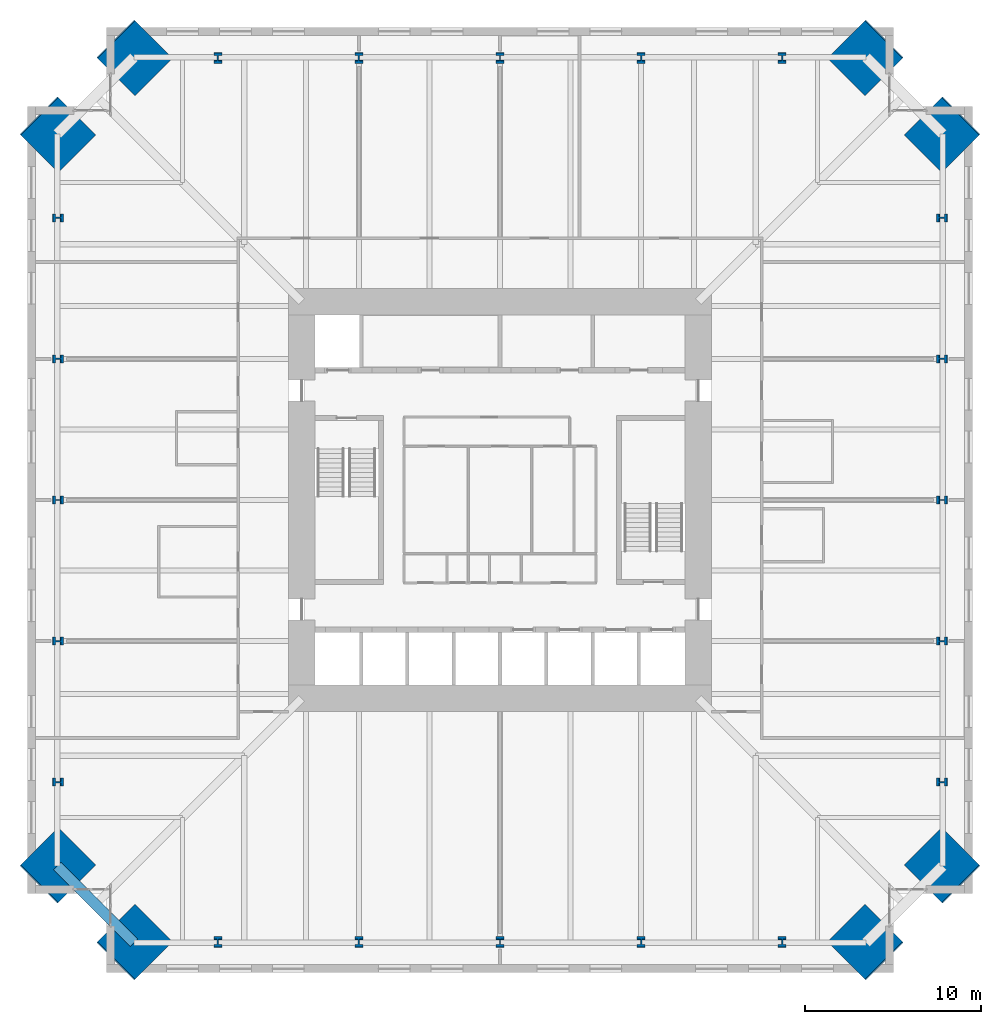
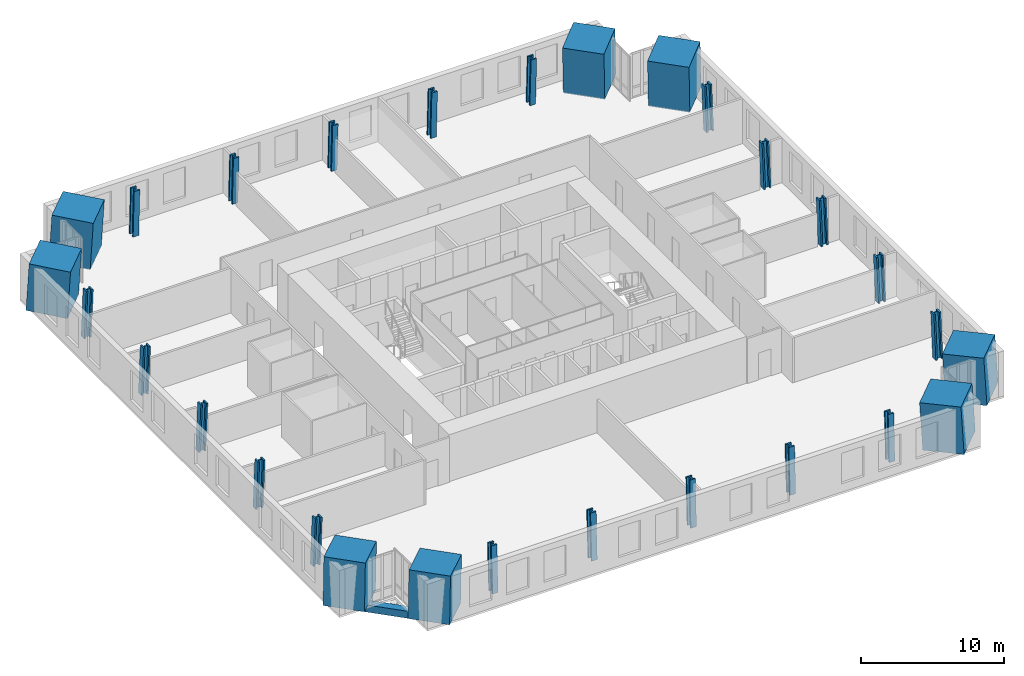
# One storey, part 1 of 17: 28 columns, 1 beam.
"""IFC4 building model written with IfcOpenShell, lengths in metres."""

from ifc_helpers import new_model, si_unit, direction, frame, origin, origin_2d, place, context, subcontext, project, spatial, rectangle, hollow_rectangle, i_section, extrude, material, material_profile, profile_set, type_object, element, save


model = new_model("IFC4")

# Units and contexts
model_context = context("Model", 3, precision=1e-05, world=origin(), true_north=direction((0.0, 1.0)))
body_context = subcontext(model_context, "Body", "Model", "MODEL_VIEW")
ifc_project = project(units=[si_unit("LENGTHUNIT", "METRE"), si_unit("AREAUNIT", "SQUARE_METRE"), si_unit("VOLUMEUNIT", "CUBIC_METRE"), si_unit("PLANEANGLEUNIT", "RADIAN"), si_unit("MASSUNIT", "GRAM", prefix="KILO")], contexts=[model_context])

# Site, building, storey
site_placement = place(None, origin())
site = spatial("IfcSite", under=ifc_project, at=site_placement, CompositionType="ELEMENT")
building_placement = place(site_placement, origin())
building = spatial("IfcBuilding", under=site, at=building_placement, Name="Peilmerk Tower", CompositionType="ELEMENT")
storey_placement = place(building_placement, frame((0.0, 0.0, 143.800048828125)))
storey = spatial("IfcBuildingStorey", under=building, at=storey_placement, Name="L29", CompositionType="ELEMENT", Elevation=143.800048828125)

# Columns
ifc_material_1 = material(Name="Concrete C90/105", Category="concrete")
ifc_material_profile_1 = material_profile(ifc_material_1, rectangle(XDim=3.0, YDim=3.0, at=origin_2d()), Name="RC 3000x3000")
ifc_profile_set_1 = profile_set([ifc_material_profile_1], Name="Concrete C90/105")
column_type_1 = type_object("IfcColumnType", Name="MC2 3000x3000 encased mega column", PredefinedType="COLUMN", material=ifc_profile_set_1)
for number, where, z_axis, x_axis, name in (
    (1, (20.748291015625, 25.098388671875, 0.0), (-0.040217894151, -0.040278830354, 0.998378754189), (0.707641859868, -0.706571297296, 0.0), "Mega column MC2 NE_N L29"),
    (2, (25.098388671875, 20.748291015625, 0.0), (-0.040278830354, -0.040217894151, 0.998378754189), (0.706571297296, -0.707641859868, 0.0), "Mega column MC2 NE_E L29"),
    (3, (25.098388671875, -20.748291015625, 0.0), (-0.040278830354, 0.040217894151, 0.998378754189), (-0.706571297296, -0.707641859868, 0.0), "Mega column MC2 SE_E L29"),
    (4, (20.748291015625, -25.098388671875, 0.0), (-0.040217894151, 0.040278830354, 0.998378754189), (-0.707641859868, -0.706571297296, 0.0), "Mega column MC2 SE_S L29"),
    (5, (-20.748291015625, -25.098388671875, 0.0), (0.040217894151, 0.040278830354, 0.998378754189), (-0.707641859868, 0.706571297296, 0.0), "Mega column MC2 SW_S L29"),
    (6, (-25.098388671875, -20.748291015625, 0.0), (0.040278830354, 0.040217894151, 0.998378754189), (-0.706571297296, 0.707641859868, 0.0), "Mega column MC2 SW_W L29"),
    (7, (-25.098388671875, 20.748291015625, 0.0), (0.040278830354, -0.040217894151, 0.998378754189), (0.706571297296, 0.707641859868, 0.0), "Mega column MC2 NW_W L29"),
    (8, (-20.748291015625, 25.098388671875, 0.0), (0.040217894151, -0.040278830354, 0.998378754189), (0.707641859868, 0.706571297296, 0.0), "Mega column MC2 NW_N L29"),
):
    element("IfcColumn", number, at=place(storey_placement, frame(where, z_axis=z_axis, x_axis=x_axis)), inside=storey, type_object=column_type_1, Name=name, PredefinedType="COLUMN", context=body_context, shape_type="SweptSolid", body=[
        extrude(rectangle(XDim=3.0, YDim=3.0, at=origin_2d()), origin(), (0.0, 0.0, 1.0), 4.006591796875),
    ])
ifc_material_2 = material(Name="Steel S460", Category="steel")
ifc_material_profile_2 = material_profile(ifc_material_2, i_section(OverallWidth=0.4541015625, OverallDepth=0.569091796875, WebThickness=0.077880859375, FlangeThickness=0.125, at=origin_2d()), Name="HD 400x1086")
ifc_profile_set_2 = profile_set([ifc_material_profile_2], Name="Steel S460")
column_type_2 = type_object("IfcColumnType", Name="SC6 HD 400x1086 interior column", PredefinedType="COLUMN", material=ifc_profile_set_2)
for number, where, z_axis, x_axis, name in (
    (9, (0.0, 25.098388671875, 0.0), (0.0, -0.040311445006, 0.999187163349), (1.0, 0.0, 0.0), "Perimeter column N+0 L29"),
    (10, (8.0, 25.098388671875, 0.0), (0.0, -0.040311445006, 0.999187163349), (1.0, 0.0, 0.0), "Perimeter column N-8 L29"),
    (11, (-8.0, 25.098388671875, 0.0), (0.0, -0.040311445006, 0.999187163349), (1.0, 0.0, 0.0), "Perimeter column N+8 L29"),
    (12, (16.0, 25.098388671875, 0.0), (0.0, -0.040311445006, 0.999187163349), (1.0, 0.0, 0.0), "Perimeter column N-16 L29"),
    (13, (-16.0, 25.098388671875, 0.0), (0.0, -0.040311445006, 0.999187163349), (1.0, 0.0, 0.0), "Perimeter column N+16 L29"),
    (14, (25.098388671875, 0.0, 0.0), (-0.040311445006, 0.0, 0.999187163349), (0.0, -1.0, 0.0), "Perimeter column E+0 L29"),
    (15, (25.098388671875, -8.0, 0.0), (-0.040311445006, 0.0, 0.999187163349), (0.0, -1.0, 0.0), "Perimeter column E-8 L29"),
    (16, (25.098388671875, 8.0, 0.0), (-0.040311445006, 0.0, 0.999187163349), (0.0, -1.0, 0.0), "Perimeter column E+8 L29"),
    (17, (25.098388671875, -16.0, 0.0), (-0.040311445006, 0.0, 0.999187163349), (0.0, -1.0, 0.0), "Perimeter column E-16 L29"),
    (18, (25.098388671875, 16.0, 0.0), (-0.040311445006, 0.0, 0.999187163349), (0.0, -1.0, 0.0), "Perimeter column E+16 L29"),
    (19, (0.0, -25.098388671875, 0.0), (0.0, 0.040311445006, 0.999187163349), (-1.0, 0.0, 0.0), "Perimeter column S+0 L29"),
    (20, (-8.0, -25.098388671875, 0.0), (0.0, 0.040311445006, 0.999187163349), (-1.0, 0.0, 0.0), "Perimeter column S-8 L29"),
    (21, (8.0, -25.098388671875, 0.0), (0.0, 0.040311445006, 0.999187163349), (-1.0, 0.0, 0.0), "Perimeter column S+8 L29"),
    (22, (-16.0, -25.098388671875, 0.0), (0.0, 0.040311445006, 0.999187163349), (-1.0, 0.0, 0.0), "Perimeter column S-16 L29"),
    (23, (16.0, -25.098388671875, 0.0), (0.0, 0.040311445006, 0.999187163349), (-1.0, 0.0, 0.0), "Perimeter column S+16 L29"),
    (24, (-25.098388671875, 0.0, 0.0), (0.040311445006, 0.0, 0.999187163349), (0.0, 1.0, 0.0), "Perimeter column W+0 L29"),
    (25, (-25.098388671875, 8.0, 0.0), (0.040311445006, 0.0, 0.999187163349), (0.0, 1.0, 0.0), "Perimeter column W-8 L29"),
    (26, (-25.098388671875, -8.0, 0.0), (0.040311445006, 0.0, 0.999187163349), (0.0, 1.0, 0.0), "Perimeter column W+8 L29"),
    (27, (-25.098388671875, 16.0, 0.0), (0.040311445006, 0.0, 0.999187163349), (0.0, 1.0, 0.0), "Perimeter column W-16 L29"),
    (28, (-25.098388671875, -16.0, 0.0), (0.040311445006, 0.0, 0.999187163349), (0.0, 1.0, 0.0), "Perimeter column W+16 L29"),
):
    element("IfcColumn", number, at=place(storey_placement, frame(where, z_axis=z_axis, x_axis=x_axis)), inside=storey, type_object=column_type_2, Name=name, PredefinedType="COLUMN", context=body_context, shape_type="SweptSolid", body=[
        extrude(i_section(OverallWidth=0.4541015625, OverallDepth=0.569091796875, WebThickness=0.077880859375, FlangeThickness=0.125, at=origin_2d()), origin(), (0.0, 0.0, 1.0), 4.003173828125),
    ])

# Beam
ifc_material_profile_3 = material_profile(ifc_material_2, hollow_rectangle(XDim=0.60009765625, YDim=0.60009765625, WallThickness=0.06005859375, at=origin_2d()), Name="BOX 600x600x60")
ifc_profile_set_3 = profile_set([ifc_material_profile_3], Name="Steel S460")
beam_type = type_object("IfcBeamType", Name="B20 BOX 600x600x60 notch beam", PredefinedType="SPANDREL", material=ifc_profile_set_3)
beam_placement = place(storey_placement, frame((-20.748291015625, -25.098388671875, -0.469970703125), z_axis=(-0.707106781187, 0.707106781187, 0.0), x_axis=(-0.707106781187, -0.707106781187, 0.0)))
element("IfcBeam", 29, at=beam_placement, inside=storey, type_object=beam_type, Name="Notch beam L29", PredefinedType="SPANDREL", context=body_context, shape_type="SweptSolid", body=[
    extrude(hollow_rectangle(XDim=0.60009765625, YDim=0.60009765625, WallThickness=0.06005859375, at=origin_2d()), origin(), (0.0, 0.0, 1.0), 6.15185546875),
])

save(model, "model.ifc")
